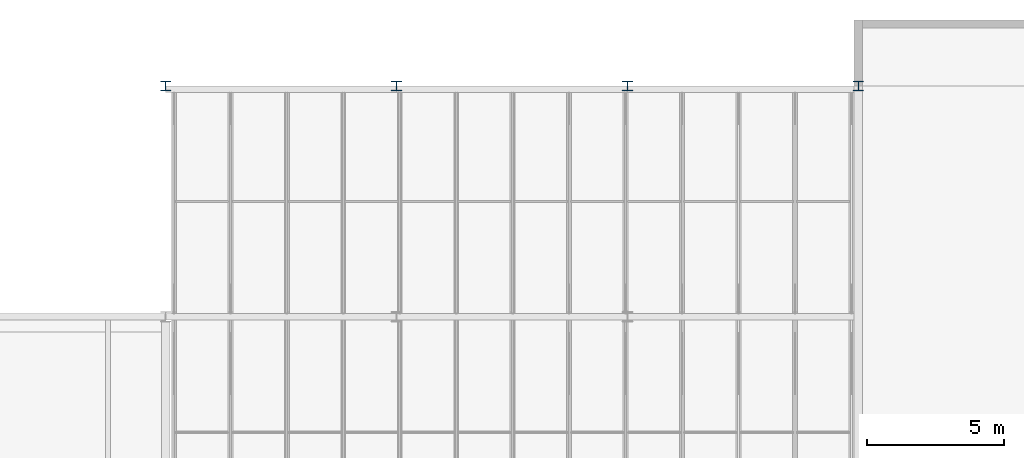
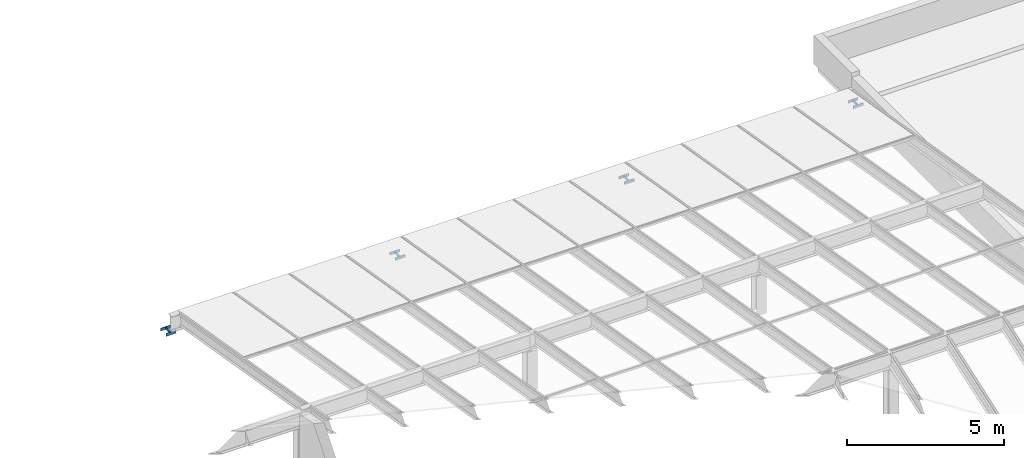
# One storey, part 8 of 60: 4 columns.
"""IFC4 building model written with IfcOpenShell, lengths in metres."""

from ifc_helpers import new_model, si_unit, direction, frame, origin, origin_2d, place, context, subcontext, project, spatial, i_section, extrude, material, material_profile, profile_set, type_object, element, save


model = new_model("IFC4")

# Units and contexts
model_context = context("Model", 3, precision=1e-05, world=origin(), true_north=direction((0.0, 1.0)))
body_context = subcontext(model_context, "Body", "Model", "MODEL_VIEW")
ifc_project = project(units=[si_unit("LENGTHUNIT", "METRE"), si_unit("AREAUNIT", "SQUARE_METRE"), si_unit("VOLUMEUNIT", "CUBIC_METRE"), si_unit("PLANEANGLEUNIT", "RADIAN"), si_unit("MASSUNIT", "GRAM", prefix="KILO")], contexts=[model_context])

# Site, building, storey
site_placement = place(None, origin())
site = spatial("IfcSite", under=ifc_project, at=site_placement, CompositionType="ELEMENT")
building_placement = place(site_placement, origin())
building = spatial("IfcBuilding", under=site, at=building_placement, Name="Ljudholm Concert House", CompositionType="ELEMENT")
storey_placement = place(building_placement, frame((0.0, 0.0, 15.0)))
storey = spatial("IfcBuildingStorey", under=building, at=storey_placement, Name="L03", CompositionType="ELEMENT", Elevation=15.0)

# Columns
ifc_material = material(Name="Steel ASTM A992", Category="steel")
ifc_material_profile = material_profile(ifc_material, i_section(OverallWidth=0.368408203125, OverallDepth=0.355712890625, WebThickness=0.01123046875, FlangeThickness=0.01806640625, FilletRadius=0.01513671875, at=origin_2d()), Name="W14X90")
ifc_profile_set = profile_set([ifc_material_profile], Name="Steel ASTM A992")
column_type = type_object("IfcColumnType", Name="STEEL COLUMN W14X90", PredefinedType="COLUMN", material=ifc_profile_set)
for number, where, z_axis, x_axis, name in (
    (1, (29.199951171875, 130.0, 0.0), (0.0, 0.0, 1.0), (1.0, 0.0, 0.0), "Roof post"),
    (2, (37.60009765625, 130.0, 0.0), (0.0, 0.0, 1.0), (1.0, 0.0, 0.0), "Roof post"),
    (3, (46.0, 130.0, 0.0), (0.0, 0.0, 1.0), (1.0, 0.0, 0.0), "Roof post"),
    (4, (54.39990234375, 130.0, 0.0), (0.0, 0.0, 1.0), (1.0, 0.0, 0.0), "Roof post"),
):
    element("IfcColumn", number, at=place(storey_placement, frame(where, z_axis=z_axis, x_axis=x_axis)), inside=storey, type_object=column_type, Name=name, PredefinedType="COLUMN", context=body_context, shape_type="SweptSolid", body=[
        extrude(i_section(OverallWidth=0.368408203125, OverallDepth=0.355712890625, WebThickness=0.01123046875, FlangeThickness=0.01806640625, FilletRadius=0.01513671875, at=origin_2d()), origin(), (0.0, 0.0, 1.0), 0.111083984375),
    ])

save(model, "model.ifc")
